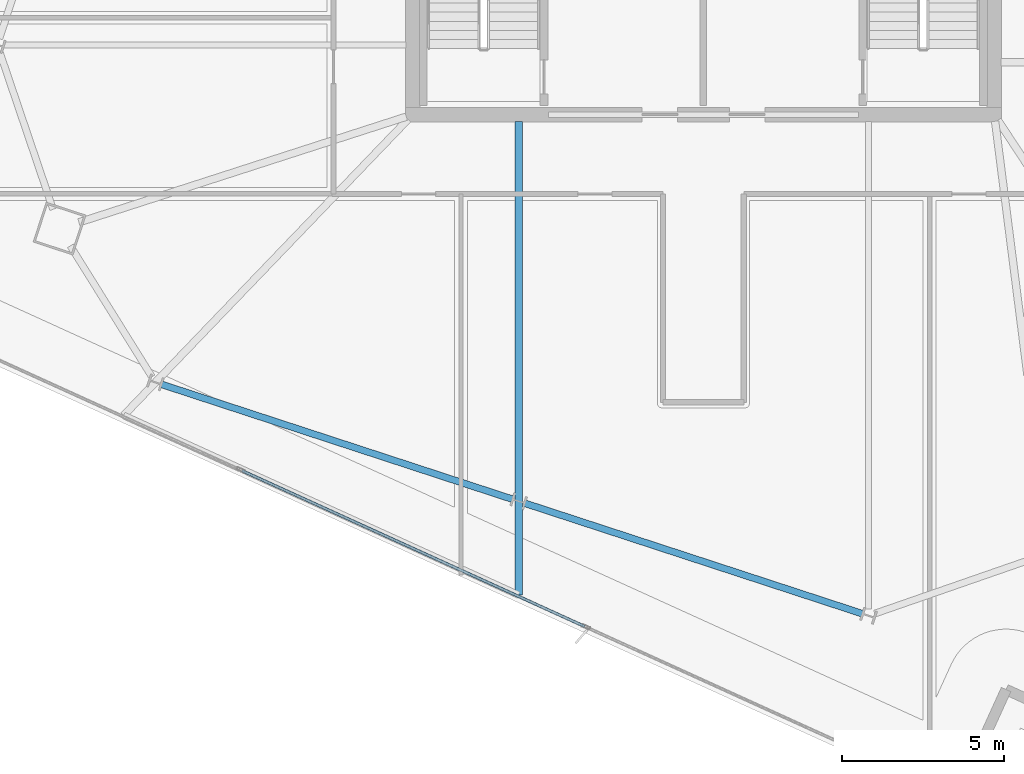
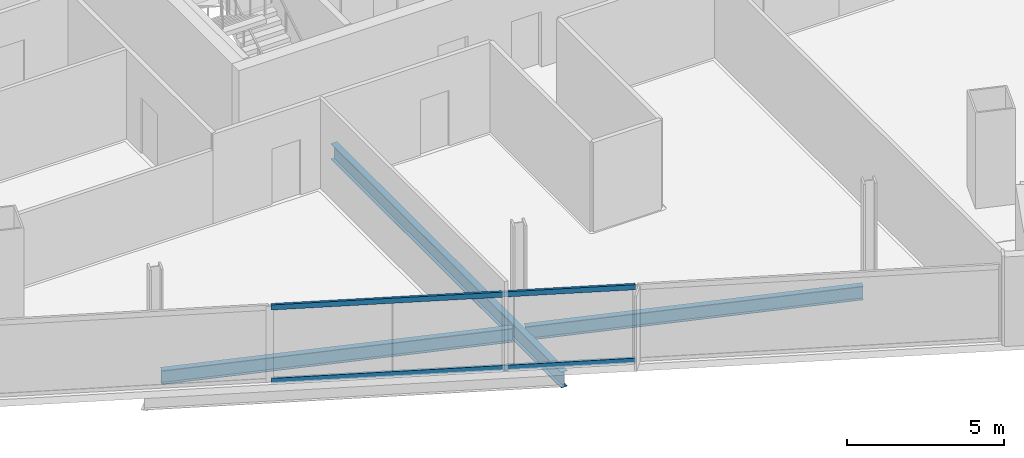
# One storey, part 4 of 26: 3 beams, 2 members, 1 element without a shape of its own.
"""IFC4 building model written with IfcOpenShell, lengths in metres."""

from ifc_helpers import new_model, si_unit, direction, frame, origin, origin_2d, place, context, subcontext, project, spatial, hollow_rectangle, i_section, extrude, material, material_profile, profile_set, type_object, element, aggregate, save


model = new_model("IFC4")

# Units and contexts
model_context = context("Model", 3, precision=1e-05, world=origin(), true_north=direction((0.0, 1.0)))
body_context = subcontext(model_context, "Body", "Model", "MODEL_VIEW")
ifc_project = project(units=[si_unit("LENGTHUNIT", "METRE"), si_unit("AREAUNIT", "SQUARE_METRE"), si_unit("VOLUMEUNIT", "CUBIC_METRE"), si_unit("PLANEANGLEUNIT", "RADIAN"), si_unit("MASSUNIT", "GRAM", prefix="KILO")], contexts=[model_context])

# Site, building, storey
site_placement = place(None, origin())
site = spatial("IfcSite", under=ifc_project, at=site_placement, CompositionType="ELEMENT")
building_placement = place(site_placement, origin())
building = spatial("IfcBuilding", under=site, at=building_placement, Name="Haldenkirk Collegiate Tower", CompositionType="ELEMENT")
storey_placement = place(building_placement, frame((0.0, 0.0, 248.699951171875)))
storey = spatial("IfcBuildingStorey", under=building, at=storey_placement, Name="L62", CompositionType="ELEMENT", Elevation=248.699951171875)

# Beams
ifc_material_1 = material(Name="Steel ASTM A992 Grade 50", Category="steel")
ifc_material_profile_1 = material_profile(ifc_material_1, i_section(OverallWidth=0.22998046875, OverallDepth=0.616943359375, WebThickness=0.01318359375, FlangeThickness=0.022216796875, at=origin_2d()), Name="W24X94")
ifc_profile_set_1 = profile_set([ifc_material_profile_1], Name="Steel ASTM A992 Grade 50")
beam_type_1 = type_object("IfcBeamType", Name="BM-GIRDER-W24X94", PredefinedType="BEAM", material=ifc_profile_set_1)
beam_1_placement = place(storey_placement, frame((30.283203125, 3.1357421875, -0.578369140625), z_axis=(0.0, 1.0, 0.0), x_axis=(-1.0, 0.0, 0.0)))
element("IfcBeam", 1, at=beam_1_placement, inside=storey, type_object=beam_type_1, Name="L62 primary floor girder 15", PredefinedType="BEAM", context=body_context, shape_type="SweptSolid", body=[
    extrude(i_section(OverallWidth=0.22998046875, OverallDepth=0.616943359375, WebThickness=0.01318359375, FlangeThickness=0.022216796875, at=origin_2d()), origin(), (0.0, 0.0, 1.0), 14.6591796875),
])
ifc_material_profile_2 = material_profile(ifc_material_1, i_section(OverallWidth=0.2099609375, OverallDepth=0.537109375, WebThickness=0.010986328125, FlangeThickness=0.017333984375, at=origin_2d()), Name="W21X68")
ifc_profile_set_2 = profile_set([ifc_material_profile_2], Name="Steel ASTM A992 Grade 50")
beam_type_2 = type_object("IfcBeamType", Name="BM-SPANDREL-W21X68", PredefinedType="SPANDREL", material=ifc_profile_set_2)
beam_2_placement = place(storey_placement, frame((19.235107421875, 9.6533203125, -0.538330078125), z_axis=(0.950408846531, -0.311003254701, 0.0), x_axis=(0.311003254701, 0.950408846531, 0.0)))
element("IfcBeam", 2, at=beam_2_placement, inside=storey, type_object=beam_type_2, Name="L62 perimeter spandrel beam 14", PredefinedType="SPANDREL", context=body_context, shape_type="SweptSolid", body=[
    extrude(i_section(OverallWidth=0.2099609375, OverallDepth=0.537109375, WebThickness=0.010986328125, FlangeThickness=0.017333984375, at=origin_2d()), origin(), (0.0, 0.0, 1.0), 11.421875),
])
beam_3_placement = place(storey_placement, frame((30.4755859375, 5.97509765625, -0.538330078125), z_axis=(0.95040429397, -0.311017166733, 0.0), x_axis=(0.311017166733, 0.95040429397, 0.0)))
element("IfcBeam", 3, at=beam_3_placement, inside=storey, type_object=beam_type_2, Name="L62 perimeter spandrel beam 15", PredefinedType="SPANDREL", context=body_context, shape_type="SweptSolid", body=[
    extrude(i_section(OverallWidth=0.2099609375, OverallDepth=0.537109375, WebThickness=0.010986328125, FlangeThickness=0.017333984375, at=origin_2d()), origin(), (0.0, 0.0, 1.0), 10.988037109375),
])

# Curtain wall, members
ifc_material_2 = material(Name="Anodised architectural bronze aluminium", Category="aluminium")
curtain_wall_type = type_object("IfcCurtainWallType", Name="CW-SYS1B-CONVEX-HI", PredefinedType="USERDEFINED", material=ifc_material_2)
curtain_wall_placement = place(storey_placement, origin())
curtain_wall = element("IfcCurtainWall", 4, at=curtain_wall_placement, inside=storey, type_object=curtain_wall_type, Name="L62 Upper tower high-wind convex bronze unitised curtain wall", ObjectType="UNITISED CURTAIN WALL", PredefinedType="USERDEFINED")
ifc_material_profile_3 = material_profile(ifc_material_2, hollow_rectangle(XDim=0.0849609375, YDim=0.199951171875, WallThickness=0.0048828125, at=origin_2d()), Name="CW-TRN-1B")
ifc_profile_set_3 = profile_set([ifc_material_profile_3], Name="Anodised architectural bronze aluminium")
member_type = type_object("IfcMemberType", Name="CW-TRN-1B", PredefinedType="USERDEFINED", material=ifc_profile_set_3)
member_1_placement = place(storey_placement, frame((32.328369140625, 2.162109375, 0.04248046875), z_axis=(-0.91032914882, 0.413885057485, 0.0), x_axis=(-0.413885057485, -0.91032914882, 0.0)))
member_1 = element("IfcMember", 5, at=member_1_placement, type_object=member_type, Name="CW-1B transom 2.1", ObjectType="TRANSOM", PredefinedType="USERDEFINED", context=body_context, shape_type="SweptSolid", body=[
    extrude(hollow_rectangle(XDim=0.0849609375, YDim=0.199951171875, WallThickness=0.0048828125, at=origin_2d()), origin(), (0.0, 0.0, 1.0), 11.648193359375),
])
member_2_placement = place(storey_placement, frame((32.328369140625, 2.162109375, 2.8955078125), z_axis=(-0.91032914882, 0.413885057485, 0.0), x_axis=(-0.413885057485, -0.91032914882, 0.0)))
member_2 = element("IfcMember", 6, at=member_2_placement, type_object=member_type, Name="CW-1B transom 2.2", ObjectType="TRANSOM", PredefinedType="USERDEFINED", context=body_context, shape_type="SweptSolid", body=[
    extrude(hollow_rectangle(XDim=0.0849609375, YDim=0.199951171875, WallThickness=0.0048828125, at=origin_2d()), origin(), (0.0, 0.0, 1.0), 11.648193359375),
])
aggregate(curtain_wall, [member_1, member_2])

save(model, "model.ifc")
